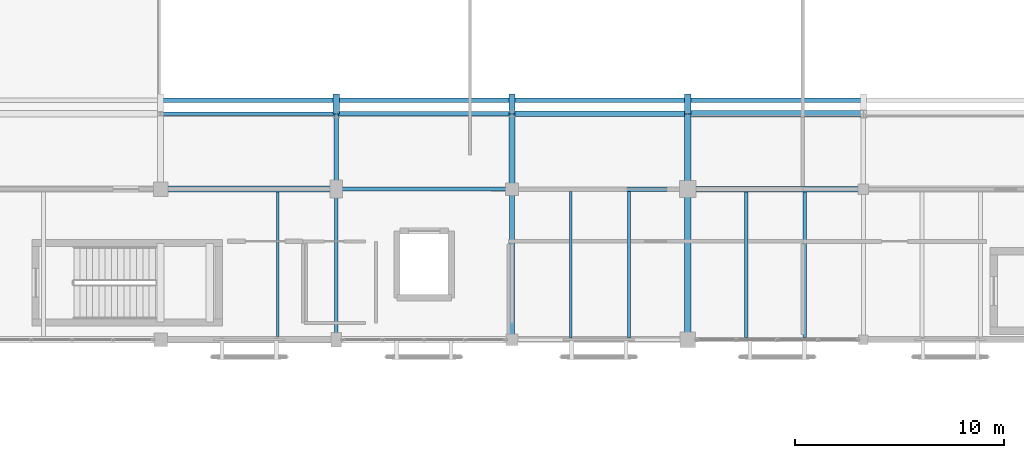
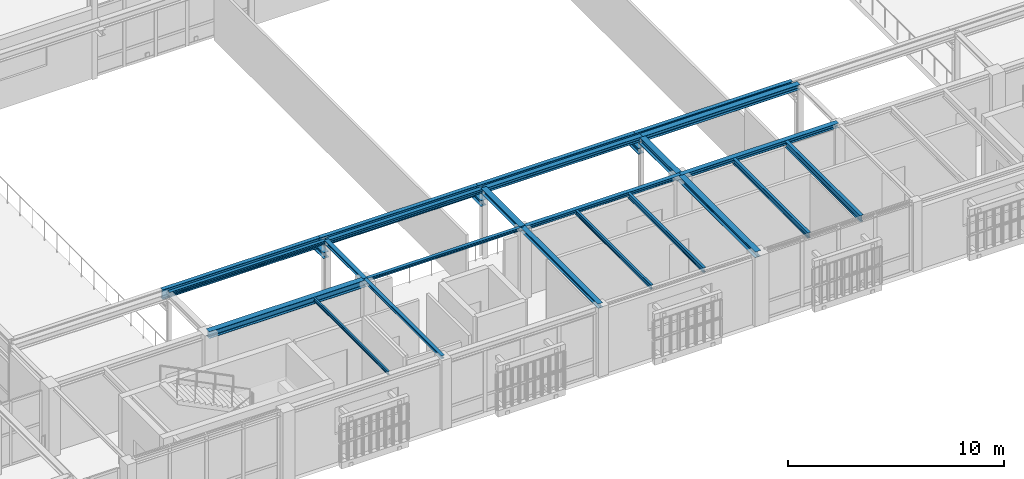
# One storey, part 75 of 170: 26 beams.
"""IFC4 building model written with IfcOpenShell, lengths in metres."""

from ifc_helpers import new_model, si_unit, direction, frame, origin, origin_2d, place, context, subcontext, project, spatial, i_section, extrude, material, material_profile, profile_set, type_object, element, save


model = new_model("IFC4")

# Units and contexts
model_context = context("Model", 3, precision=1e-05, world=origin(), true_north=direction((0.0, 1.0)))
body_context = subcontext(model_context, "Body", "Model", "MODEL_VIEW")
ifc_project = project(units=[si_unit("LENGTHUNIT", "METRE"), si_unit("AREAUNIT", "SQUARE_METRE"), si_unit("VOLUMEUNIT", "CUBIC_METRE"), si_unit("PLANEANGLEUNIT", "RADIAN"), si_unit("MASSUNIT", "GRAM", prefix="KILO")], contexts=[model_context])

# Site, building, storey
site_placement = place(None, origin())
site = spatial("IfcSite", under=ifc_project, at=site_placement, CompositionType="ELEMENT")
building_placement = place(site_placement, origin())
building = spatial("IfcBuilding", under=site, at=building_placement, Name="Mazaris Harbour Polytechnic", CompositionType="ELEMENT")
storey_placement = place(building_placement, frame((0.0, 0.0, 5.39990234375)))
storey = spatial("IfcBuildingStorey", under=building, at=storey_placement, Name="L01", CompositionType="ELEMENT", Elevation=5.39990234375)

# Beams
ifc_material_1 = material(Name="Steel S355", Category="steel")
ifc_material_profile_1 = material_profile(ifc_material_1, i_section(OverallWidth=0.2099609375, OverallDepth=0.550048828125, WebThickness=0.010986328125, FlangeThickness=0.01708984375, FilletRadius=0.02392578125, at=origin_2d()), Name="IPE 550")
ifc_profile_set_1 = profile_set([ifc_material_profile_1], Name="Steel S355")
beam_type_1 = type_object("IfcBeamType", Name="Crane Runway IPE550", PredefinedType="USERDEFINED", material=ifc_profile_set_1)
beam_1_placement = place(storey_placement, frame((62.39990234375, 87.050048828125, 3.400146484375), z_axis=(1.0, 0.0, 0.0), x_axis=(0.0, 1.0, 0.0)))
element("IfcBeam", 1, at=beam_1_placement, inside=storey, type_object=beam_type_1, Name="V1 10t Bridge Crane Runway 2", ObjectType="CRANE RUNWAY", PredefinedType="USERDEFINED", context=body_context, shape_type="SweptSolid", body=[
    extrude(i_section(OverallWidth=0.2099609375, OverallDepth=0.550048828125, WebThickness=0.010986328125, FlangeThickness=0.01708984375, FilletRadius=0.02392578125, at=origin_2d()), origin(), (0.0, 0.0, 1.0), 8.400146484375),
])
beam_2_placement = place(storey_placement, frame((70.800048828125, 87.050048828125, 3.400146484375), z_axis=(1.0, 0.0, 0.0), x_axis=(0.0, 1.0, 0.0)))
element("IfcBeam", 2, at=beam_2_placement, inside=storey, type_object=beam_type_1, Name="V1 10t Bridge Crane Runway 3", ObjectType="CRANE RUNWAY", PredefinedType="USERDEFINED", context=body_context, shape_type="SweptSolid", body=[
    extrude(i_section(OverallWidth=0.2099609375, OverallDepth=0.550048828125, WebThickness=0.010986328125, FlangeThickness=0.01708984375, FilletRadius=0.02392578125, at=origin_2d()), origin(), (0.0, 0.0, 1.0), 8.39990234375),
])
beam_3_placement = place(storey_placement, frame((79.199951171875, 87.050048828125, 3.400146484375), z_axis=(1.0, 0.0, 0.0), x_axis=(0.0, 1.0, 0.0)))
element("IfcBeam", 3, at=beam_3_placement, inside=storey, type_object=beam_type_1, Name="V1 10t Bridge Crane Runway 4", ObjectType="CRANE RUNWAY", PredefinedType="USERDEFINED", context=body_context, shape_type="SweptSolid", body=[
    extrude(i_section(OverallWidth=0.2099609375, OverallDepth=0.550048828125, WebThickness=0.010986328125, FlangeThickness=0.01708984375, FilletRadius=0.02392578125, at=origin_2d()), origin(), (0.0, 0.0, 1.0), 8.400146484375),
])
beam_4_placement = place(storey_placement, frame((87.60009765625, 87.050048828125, 3.400146484375), z_axis=(1.0, 0.0, 0.0), x_axis=(0.0, 1.0, 0.0)))
element("IfcBeam", 4, at=beam_4_placement, inside=storey, type_object=beam_type_1, Name="V1 10t Bridge Crane Runway 5", ObjectType="CRANE RUNWAY", PredefinedType="USERDEFINED", context=body_context, shape_type="SweptSolid", body=[
    extrude(i_section(OverallWidth=0.2099609375, OverallDepth=0.550048828125, WebThickness=0.010986328125, FlangeThickness=0.01708984375, FilletRadius=0.02392578125, at=origin_2d()), origin(), (0.0, 0.0, 1.0), 8.39990234375),
])
ifc_material_2 = material(Name="Steel S355", Category="steel")
ifc_material_profile_2 = material_profile(ifc_material_2, i_section(OverallWidth=0.179931640625, OverallDepth=0.1708984375, WebThickness=0.006103515625, FlangeThickness=0.009521484375, FilletRadius=0.014892578125, at=origin_2d()), Name="HEA 180")
ifc_profile_set_2 = profile_set([ifc_material_profile_2], Name="Steel S355")
beam_type_2 = type_object("IfcBeamType", Name="Steel Beam HEA180", PredefinedType="LINTEL", material=ifc_profile_set_2)
beam_5_placement = place(storey_placement, frame((70.800048828125, 82.800048828125, 3.834716796875), z_axis=(1.0, 0.0, 0.0), x_axis=(0.0, 1.0, 0.0)))
element("IfcBeam", 5, at=beam_5_placement, inside=storey, type_object=beam_type_2, Name="V1 L01 Girder 240", PredefinedType="LINTEL", context=body_context, shape_type="SweptSolid", body=[
    extrude(i_section(OverallWidth=0.179931640625, OverallDepth=0.1708984375, WebThickness=0.006103515625, FlangeThickness=0.009521484375, FilletRadius=0.014892578125, at=origin_2d()), origin(), (0.0, 0.0, 1.0), 8.39990234375),
])
beam_6_placement = place(storey_placement, frame((70.800048828125, 75.60009765625, 3.834716796875), z_axis=(0.0, 1.0, 0.0), x_axis=(-1.0, 0.0, 0.0)))
element("IfcBeam", 6, at=beam_6_placement, inside=storey, type_object=beam_type_2, Name="V1 L01 Tie Girder 258", PredefinedType="LINTEL", context=body_context, shape_type="SweptSolid", body=[
    extrude(i_section(OverallWidth=0.179931640625, OverallDepth=0.1708984375, WebThickness=0.006103515625, FlangeThickness=0.009521484375, FilletRadius=0.014892578125, at=origin_2d()), origin(), (0.0, 0.0, 1.0), 7.199951171875),
])
ifc_material_3 = material(Name="Steel S355", Category="steel")
ifc_material_profile_3 = material_profile(ifc_material_3, i_section(OverallWidth=0.179931640625, OverallDepth=0.1708984375, WebThickness=0.006103515625, FlangeThickness=0.009521484375, FilletRadius=0.014892578125, at=origin_2d()), Name="HEA 180")
ifc_profile_set_3 = profile_set([ifc_material_profile_3], Name="Steel S355")
beam_type_3 = type_object("IfcBeamType", Name="Steel Beam HEA180 Exterior", PredefinedType="LINTEL", material=ifc_profile_set_3)
beam_7_placement = place(storey_placement, frame((62.39990234375, 86.39990234375, 3.834716796875), z_axis=(1.0, 0.0, 0.0), x_axis=(0.0, 1.0, 0.0)))
element("IfcBeam", 7, at=beam_7_placement, inside=storey, type_object=beam_type_3, Name="V1 L01 Girder 246", PredefinedType="LINTEL", context=body_context, shape_type="SweptSolid", body=[
    extrude(i_section(OverallWidth=0.179931640625, OverallDepth=0.1708984375, WebThickness=0.006103515625, FlangeThickness=0.009521484375, FilletRadius=0.014892578125, at=origin_2d()), origin(), (0.0, 0.0, 1.0), 8.400146484375),
])
ifc_material_4 = material(Name="Steel S355", Category="steel")
ifc_material_profile_4 = material_profile(ifc_material_4, i_section(OverallWidth=0.219970703125, OverallDepth=0.2099609375, WebThickness=0.007080078125, FlangeThickness=0.010986328125, FilletRadius=0.01806640625, at=origin_2d()), Name="HEA 220")
ifc_profile_set_4 = profile_set([ifc_material_profile_4], Name="Steel S355")
beam_type_4 = type_object("IfcBeamType", Name="Steel Beam HEA220", PredefinedType="LINTEL", material=ifc_profile_set_4)
beam_8_placement = place(storey_placement, frame((79.199951171875, 82.800048828125, 3.815185546875), z_axis=(1.0, 0.0, 0.0), x_axis=(0.0, 1.0, 0.0)))
element("IfcBeam", 8, at=beam_8_placement, inside=storey, type_object=beam_type_4, Name="V1 L01 Girder 241", PredefinedType="LINTEL", context=body_context, shape_type="SweptSolid", body=[
    extrude(i_section(OverallWidth=0.219970703125, OverallDepth=0.2099609375, WebThickness=0.007080078125, FlangeThickness=0.010986328125, FilletRadius=0.01806640625, at=origin_2d()), origin(), (0.0, 0.0, 1.0), 8.400146484375),
])
beam_9_placement = place(storey_placement, frame((70.800048828125, 82.800048828125, 3.815185546875), z_axis=(0.0, 1.0, 0.0), x_axis=(-1.0, 0.0, 0.0)))
element("IfcBeam", 9, at=beam_9_placement, inside=storey, type_object=beam_type_4, Name="V1 L01 Tie Girder 259", PredefinedType="LINTEL", context=body_context, shape_type="SweptSolid", body=[
    extrude(i_section(OverallWidth=0.219970703125, OverallDepth=0.2099609375, WebThickness=0.007080078125, FlangeThickness=0.010986328125, FilletRadius=0.01806640625, at=origin_2d()), origin(), (0.0, 0.0, 1.0), 3.599853515625),
])
ifc_material_5 = material(Name="Steel S355", Category="steel")
ifc_material_profile_5 = material_profile(ifc_material_5, i_section(OverallWidth=0.219970703125, OverallDepth=0.2099609375, WebThickness=0.007080078125, FlangeThickness=0.010986328125, FilletRadius=0.01806640625, at=origin_2d()), Name="HEA 220")
ifc_profile_set_5 = profile_set([ifc_material_profile_5], Name="Steel S355")
beam_type_5 = type_object("IfcBeamType", Name="Steel Beam HEA220 Exterior", PredefinedType="LINTEL", material=ifc_profile_set_5)
beam_10_placement = place(storey_placement, frame((70.800048828125, 86.39990234375, 3.815185546875), z_axis=(1.0, 0.0, 0.0), x_axis=(0.0, 1.0, 0.0)))
element("IfcBeam", 10, at=beam_10_placement, inside=storey, type_object=beam_type_5, Name="V1 L01 Girder 247", PredefinedType="LINTEL", context=body_context, shape_type="SweptSolid", body=[
    extrude(i_section(OverallWidth=0.219970703125, OverallDepth=0.2099609375, WebThickness=0.007080078125, FlangeThickness=0.010986328125, FilletRadius=0.01806640625, at=origin_2d()), origin(), (0.0, 0.0, 1.0), 8.39990234375),
])
ifc_material_6 = material(Name="Steel S355", Category="steel")
ifc_material_profile_6 = material_profile(ifc_material_6, i_section(OverallWidth=0.260009765625, OverallDepth=0.25, WebThickness=0.007568359375, FlangeThickness=0.012451171875, FilletRadius=0.02392578125, at=origin_2d()), Name="HEA 260")
ifc_profile_set_6 = profile_set([ifc_material_profile_6], Name="Steel S355")
beam_type_6 = type_object("IfcBeamType", Name="Steel Beam HEA260", PredefinedType="SPANDREL", material=ifc_profile_set_6)
beam_11_placement = place(storey_placement, frame((87.60009765625, 82.800048828125, 3.795166015625), z_axis=(1.0, 0.0, 0.0), x_axis=(0.0, 1.0, 0.0)))
element("IfcBeam", 11, at=beam_11_placement, inside=storey, type_object=beam_type_6, Name="V1 L01 Girder 242", PredefinedType="SPANDREL", context=body_context, shape_type="SweptSolid", body=[
    extrude(i_section(OverallWidth=0.260009765625, OverallDepth=0.25, WebThickness=0.007568359375, FlangeThickness=0.012451171875, FilletRadius=0.02392578125, at=origin_2d()), origin(), (0.0, 0.0, 1.0), 8.39990234375),
])
beam_12_placement = place(storey_placement, frame((79.199951171875, 75.60009765625, 3.795166015625), z_axis=(0.0, 1.0, 0.0), x_axis=(-1.0, 0.0, 0.0)))
element("IfcBeam", 12, at=beam_12_placement, inside=storey, type_object=beam_type_6, Name="V1 L01 Tie Girder 260", PredefinedType="SPANDREL", context=body_context, shape_type="SweptSolid", body=[
    extrude(i_section(OverallWidth=0.260009765625, OverallDepth=0.25, WebThickness=0.007568359375, FlangeThickness=0.012451171875, FilletRadius=0.02392578125, at=origin_2d()), origin(), (0.0, 0.0, 1.0), 7.199951171875),
])
ifc_material_7 = material(Name="Steel S355", Category="steel")
ifc_material_profile_7 = material_profile(ifc_material_7, i_section(OverallWidth=0.260009765625, OverallDepth=0.25, WebThickness=0.007568359375, FlangeThickness=0.012451171875, FilletRadius=0.02392578125, at=origin_2d()), Name="HEA 260")
ifc_profile_set_7 = profile_set([ifc_material_profile_7], Name="Steel S355")
beam_type_7 = type_object("IfcBeamType", Name="Steel Beam HEA260 Exterior", PredefinedType="SPANDREL", material=ifc_profile_set_7)
beam_13_placement = place(storey_placement, frame((79.199951171875, 86.39990234375, 3.795166015625), z_axis=(1.0, 0.0, 0.0), x_axis=(0.0, 1.0, 0.0)))
element("IfcBeam", 13, at=beam_13_placement, inside=storey, type_object=beam_type_7, Name="V1 L01 Girder 248", PredefinedType="SPANDREL", context=body_context, shape_type="SweptSolid", body=[
    extrude(i_section(OverallWidth=0.260009765625, OverallDepth=0.25, WebThickness=0.007568359375, FlangeThickness=0.012451171875, FilletRadius=0.02392578125, at=origin_2d()), origin(), (0.0, 0.0, 1.0), 8.400146484375),
])
ifc_material_8 = material(Name="Steel S355", Category="steel")
ifc_material_profile_8 = material_profile(ifc_material_8, i_section(OverallWidth=0.300048828125, OverallDepth=0.2900390625, WebThickness=0.008544921875, FlangeThickness=0.013916015625, FilletRadius=0.027099609375, at=origin_2d()), Name="HEA 300")
ifc_profile_set_8 = profile_set([ifc_material_profile_8], Name="Steel S355")
beam_type_8 = type_object("IfcBeamType", Name="Steel Beam HEA300", PredefinedType="SPANDREL", material=ifc_profile_set_8)
beam_14_placement = place(storey_placement, frame((79.199951171875, 82.800048828125, 3.775146484375), z_axis=(0.0, 1.0, 0.0), x_axis=(-1.0, 0.0, 0.0)))
element("IfcBeam", 14, at=beam_14_placement, inside=storey, type_object=beam_type_8, Name="V1 L01 Tie Girder 261", PredefinedType="SPANDREL", context=body_context, shape_type="SweptSolid", body=[
    extrude(i_section(OverallWidth=0.300048828125, OverallDepth=0.2900390625, WebThickness=0.008544921875, FlangeThickness=0.013916015625, FilletRadius=0.027099609375, at=origin_2d()), origin(), (0.0, 0.0, 1.0), 3.599853515625),
])
ifc_material_9 = material(Name="Steel S355", Category="steel")
ifc_material_profile_9 = material_profile(ifc_material_9, i_section(OverallWidth=0.300048828125, OverallDepth=0.2900390625, WebThickness=0.008544921875, FlangeThickness=0.013916015625, FilletRadius=0.027099609375, at=origin_2d()), Name="HEA 300")
ifc_profile_set_9 = profile_set([ifc_material_profile_9], Name="Steel S355")
beam_type_9 = type_object("IfcBeamType", Name="Steel Beam HEA300 Exterior", PredefinedType="SPANDREL", material=ifc_profile_set_9)
beam_15_placement = place(storey_placement, frame((87.60009765625, 86.39990234375, 3.775146484375), z_axis=(1.0, 0.0, 0.0), x_axis=(0.0, 1.0, 0.0)))
element("IfcBeam", 15, at=beam_15_placement, inside=storey, type_object=beam_type_9, Name="V1 L01 Girder 249", PredefinedType="SPANDREL", context=body_context, shape_type="SweptSolid", body=[
    extrude(i_section(OverallWidth=0.300048828125, OverallDepth=0.2900390625, WebThickness=0.008544921875, FlangeThickness=0.013916015625, FilletRadius=0.027099609375, at=origin_2d()), origin(), (0.0, 0.0, 1.0), 8.39990234375),
])
ifc_material_10 = material(Name="Steel S355", Category="steel")
ifc_material_profile_10 = material_profile(ifc_material_10, i_section(OverallWidth=0.300048828125, OverallDepth=0.330078125, WebThickness=0.009521484375, FlangeThickness=0.0166015625, FilletRadius=0.027099609375, at=origin_2d()), Name="HEA 340")
ifc_profile_set_10 = profile_set([ifc_material_profile_10], Name="Steel S355")
beam_type_10 = type_object("IfcBeamType", Name="Steel Beam HEA340", PredefinedType="BEAM", material=ifc_profile_set_10)
beam_16_placement = place(storey_placement, frame((87.60009765625, 75.60009765625, 3.755126953125), z_axis=(0.0, 1.0, 0.0), x_axis=(-1.0, 0.0, 0.0)))
element("IfcBeam", 16, at=beam_16_placement, inside=storey, type_object=beam_type_10, Name="V1 L01 Tie Girder 262", PredefinedType="BEAM", context=body_context, shape_type="SweptSolid", body=[
    extrude(i_section(OverallWidth=0.300048828125, OverallDepth=0.330078125, WebThickness=0.009521484375, FlangeThickness=0.0166015625, FilletRadius=0.027099609375, at=origin_2d()), origin(), (0.0, 0.0, 1.0), 7.199951171875),
])
for number, where, z_axis, x_axis, name in (
    (17, (70.800048828125, 86.39990234375, 3.0400390625), (0.0, 1.0, 0.0), (-1.0, 0.0, 0.0), "V1 Crane Corbel Bracket 3557"),
    (18, (79.199951171875, 86.39990234375, 3.0400390625), (0.0, 1.0, 0.0), (-1.0, 0.0, 0.0), "V1 Crane Corbel Bracket 3558"),
    (19, (87.60009765625, 86.39990234375, 3.0400390625), (0.0, 1.0, 0.0), (-1.0, 0.0, 0.0), "V1 Crane Corbel Bracket 3559"),
):
    element("IfcBeam", number, at=place(storey_placement, frame(where, z_axis=z_axis, x_axis=x_axis)), inside=storey, type_object=beam_type_10, Name=name, PredefinedType="BEAM", context=body_context, shape_type="SweptSolid", body=[
        extrude(i_section(OverallWidth=0.300048828125, OverallDepth=0.330078125, WebThickness=0.009521484375, FlangeThickness=0.0166015625, FilletRadius=0.027099609375, at=origin_2d()), origin(), (0.0, 0.0, 1.0), 0.9501953125),
    ])
ifc_material_11 = material(Name="Steel S355", Category="steel")
ifc_material_profile_11 = material_profile(ifc_material_11, i_section(OverallWidth=0.300048828125, OverallDepth=0.389892578125, WebThickness=0.010986328125, FlangeThickness=0.01904296875, FilletRadius=0.027099609375, at=origin_2d()), Name="HEA 400")
ifc_profile_set_11 = profile_set([ifc_material_profile_11], Name="Steel S355")
beam_type_11 = type_object("IfcBeamType", Name="Steel Beam HEA400", PredefinedType="BEAM", material=ifc_profile_set_11)
beam_17_placement = place(storey_placement, frame((62.39990234375, 82.800048828125, 3.72509765625), z_axis=(1.0, 0.0, 0.0), x_axis=(0.0, 1.0, 0.0)))
element("IfcBeam", 20, at=beam_17_placement, inside=storey, type_object=beam_type_11, Name="V1 L01 Girder 239", PredefinedType="BEAM", context=body_context, shape_type="SweptSolid", body=[
    extrude(i_section(OverallWidth=0.300048828125, OverallDepth=0.389892578125, WebThickness=0.010986328125, FlangeThickness=0.01904296875, FilletRadius=0.027099609375, at=origin_2d()), origin(), (0.0, 0.0, 1.0), 8.400146484375),
])
beam_18_placement = place(storey_placement, frame((87.60009765625, 82.800048828125, 3.72509765625), z_axis=(0.0, 1.0, 0.0), x_axis=(-1.0, 0.0, 0.0)))
element("IfcBeam", 21, at=beam_18_placement, inside=storey, type_object=beam_type_11, Name="V1 L01 Tie Girder 263", PredefinedType="BEAM", context=body_context, shape_type="SweptSolid", body=[
    extrude(i_section(OverallWidth=0.300048828125, OverallDepth=0.389892578125, WebThickness=0.010986328125, FlangeThickness=0.01904296875, FilletRadius=0.027099609375, at=origin_2d()), origin(), (0.0, 0.0, 1.0), 3.599853515625),
])
ifc_material_12 = material(Name="Steel S355", Category="steel")
ifc_material_profile_12 = material_profile(ifc_material_12, i_section(OverallWidth=0.10009765625, OverallDepth=0.199951171875, WebThickness=0.005615234375, FlangeThickness=0.008544921875, FilletRadius=0.011962890625, at=origin_2d()), Name="IPE 200")
ifc_profile_set_12 = profile_set([ifc_material_profile_12], Name="Steel S355")
beam_type_12 = type_object("IfcBeamType", Name="Steel Joist IPE200", PredefinedType="JOIST", material=ifc_profile_set_12)
beam_19_placement = place(storey_placement, frame((68.0, 75.75, 3.820068359375), z_axis=(0.0, 1.0, 0.0), x_axis=(-1.0, 0.0, 0.0)))
element("IfcBeam", 22, at=beam_19_placement, inside=storey, type_object=beam_type_12, Name="V1 L01 Floor Joist 273", PredefinedType="JOIST", context=body_context, shape_type="SweptSolid", body=[
    extrude(i_section(OverallWidth=0.10009765625, OverallDepth=0.199951171875, WebThickness=0.005615234375, FlangeThickness=0.008544921875, FilletRadius=0.011962890625, at=origin_2d()), origin(), (0.0, 0.0, 1.0), 6.89990234375),
])
ifc_material_13 = material(Name="Steel S355", Category="steel")
ifc_material_profile_13 = material_profile(ifc_material_13, i_section(OverallWidth=0.1201171875, OverallDepth=0.239990234375, WebThickness=0.006103515625, FlangeThickness=0.009765625, FilletRadius=0.014892578125, at=origin_2d()), Name="IPE 240")
ifc_profile_set_13 = profile_set([ifc_material_profile_13], Name="Steel S355")
beam_type_13 = type_object("IfcBeamType", Name="Steel Joist IPE240", PredefinedType="JOIST", material=ifc_profile_set_13)
beam_20_placement = place(storey_placement, frame((82.0, 75.68994140625, 3.800048828125), z_axis=(0.0, 1.0, 0.0), x_axis=(-1.0, 0.0, 0.0)))
element("IfcBeam", 23, at=beam_20_placement, inside=storey, type_object=beam_type_13, Name="V1 L01 Floor Joist 274", PredefinedType="JOIST", context=body_context, shape_type="SweptSolid", body=[
    extrude(i_section(OverallWidth=0.1201171875, OverallDepth=0.239990234375, WebThickness=0.006103515625, FlangeThickness=0.009765625, FilletRadius=0.014892578125, at=origin_2d()), origin(), (0.0, 0.0, 1.0), 7.0),
])
ifc_material_14 = material(Name="Steel S355", Category="steel")
ifc_material_profile_14 = material_profile(ifc_material_14, i_section(OverallWidth=0.135009765625, OverallDepth=0.27001953125, WebThickness=0.006591796875, FlangeThickness=0.01025390625, FilletRadius=0.014892578125, at=origin_2d()), Name="IPE 270")
ifc_profile_set_14 = profile_set([ifc_material_profile_14], Name="Steel S355")
beam_type_14 = type_object("IfcBeamType", Name="Steel Joist IPE270", PredefinedType="JOIST", material=ifc_profile_set_14)
beam_21_placement = place(storey_placement, frame((84.800048828125, 75.68994140625, 3.78515625), z_axis=(0.0, 1.0, 0.0), x_axis=(-1.0, 0.0, 0.0)))
element("IfcBeam", 24, at=beam_21_placement, inside=storey, type_object=beam_type_14, Name="V1 L01 Floor Joist 275", PredefinedType="JOIST", context=body_context, shape_type="SweptSolid", body=[
    extrude(i_section(OverallWidth=0.135009765625, OverallDepth=0.27001953125, WebThickness=0.006591796875, FlangeThickness=0.01025390625, FilletRadius=0.014892578125, at=origin_2d()), origin(), (0.0, 0.0, 1.0), 7.0),
])
ifc_material_15 = material(Name="Steel S355", Category="steel")
ifc_material_profile_15 = material_profile(ifc_material_15, i_section(OverallWidth=0.14990234375, OverallDepth=0.300048828125, WebThickness=0.007080078125, FlangeThickness=0.0107421875, FilletRadius=0.014892578125, at=origin_2d()), Name="IPE 300")
ifc_profile_set_15 = profile_set([ifc_material_profile_15], Name="Steel S355")
beam_type_15 = type_object("IfcBeamType", Name="Steel Joist IPE300", PredefinedType="JOIST", material=ifc_profile_set_15)
beam_22_placement = place(storey_placement, frame((90.39990234375, 75.7099609375, 3.77001953125), z_axis=(0.0, 1.0, 0.0), x_axis=(-1.0, 0.0, 0.0)))
element("IfcBeam", 25, at=beam_22_placement, inside=storey, type_object=beam_type_15, Name="V1 L01 Floor Joist 276", PredefinedType="JOIST", context=body_context, shape_type="SweptSolid", body=[
    extrude(i_section(OverallWidth=0.14990234375, OverallDepth=0.300048828125, WebThickness=0.007080078125, FlangeThickness=0.0107421875, FilletRadius=0.014892578125, at=origin_2d()), origin(), (0.0, 0.0, 1.0), 6.9599609375),
])
ifc_material_16 = material(Name="Steel S355", Category="steel")
ifc_material_profile_16 = material_profile(ifc_material_16, i_section(OverallWidth=0.169921875, OverallDepth=0.360107421875, WebThickness=0.008056640625, FlangeThickness=0.0126953125, FilletRadius=0.01806640625, at=origin_2d()), Name="IPE 360")
ifc_profile_set_16 = profile_set([ifc_material_profile_16], Name="Steel S355")
beam_type_16 = type_object("IfcBeamType", Name="Steel Joist IPE360", PredefinedType="JOIST", material=ifc_profile_set_16)
beam_23_placement = place(storey_placement, frame((93.199951171875, 75.7099609375, 3.739990234375), z_axis=(0.0, 1.0, 0.0), x_axis=(-1.0, 0.0, 0.0)))
element("IfcBeam", 26, at=beam_23_placement, inside=storey, type_object=beam_type_16, Name="V1 L01 Floor Joist 277", PredefinedType="JOIST", context=body_context, shape_type="SweptSolid", body=[
    extrude(i_section(OverallWidth=0.169921875, OverallDepth=0.360107421875, WebThickness=0.008056640625, FlangeThickness=0.0126953125, FilletRadius=0.01806640625, at=origin_2d()), origin(), (0.0, 0.0, 1.0), 6.9599609375),
])

save(model, "model.ifc")
